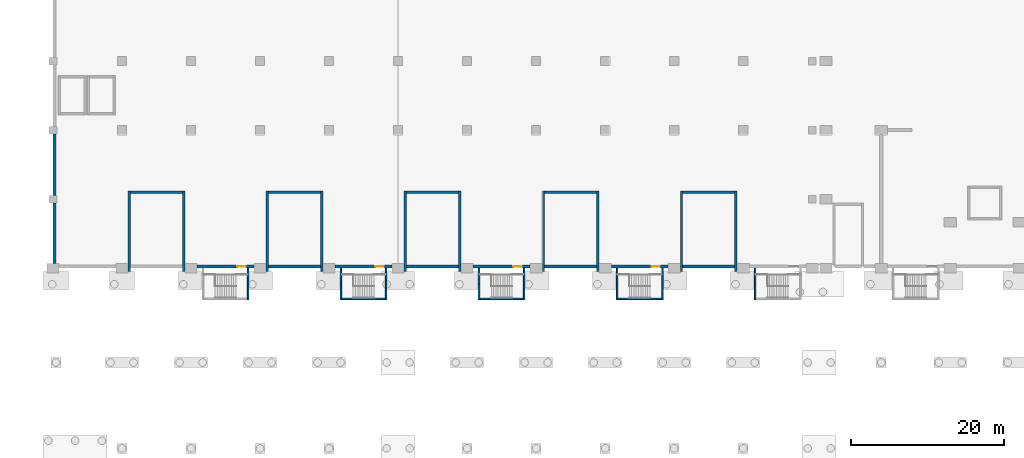
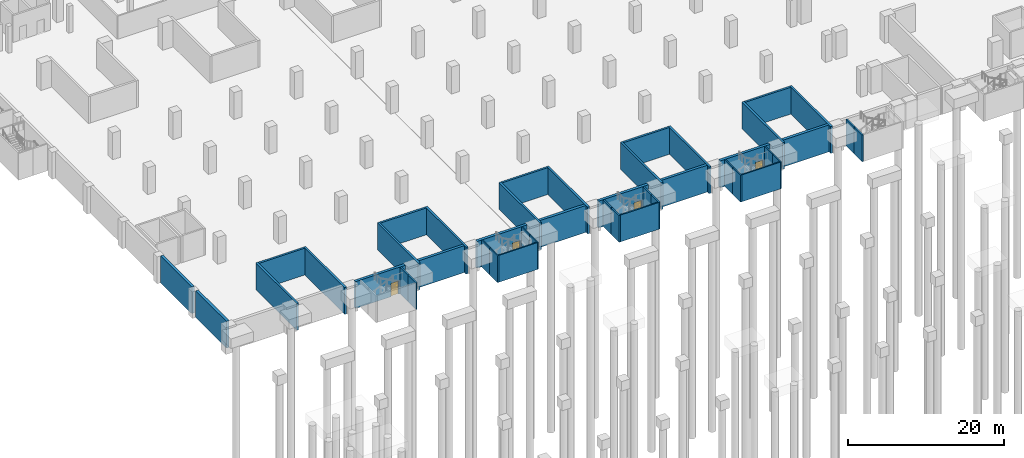
# One storey, part 11 of 27: 44 walls, 4 doors, 4 openings.
"""IFC4 building model written with IfcOpenShell, lengths in metres."""

from ifc_helpers import new_model, si_unit, direction, frame, frame_2d, origin, place, context, subcontext, project, spatial, rectangle, extrude, material, layer, layer_set, type_object, element, fill, save


model = new_model("IFC4")

# Units and contexts
model_context = context("Model", 3, precision=1e-05, world=origin(), true_north=direction((0.0, 1.0)))
body_context = subcontext(model_context, "Body", "Model", "MODEL_VIEW")
ifc_project = project(units=[si_unit("LENGTHUNIT", "METRE"), si_unit("AREAUNIT", "SQUARE_METRE"), si_unit("VOLUMEUNIT", "CUBIC_METRE"), si_unit("PLANEANGLEUNIT", "RADIAN"), si_unit("MASSUNIT", "GRAM", prefix="KILO")], contexts=[model_context])

# Site, building, storey
site_placement = place(None, origin())
site = spatial("IfcSite", under=ifc_project, at=site_placement, CompositionType="ELEMENT")
building_placement = place(site_placement, origin())
building = spatial("IfcBuilding", under=site, at=building_placement, Name="Aravalli Gate Trade Fair Centre", CompositionType="ELEMENT")
storey_placement = place(building_placement, frame((0.0, 0.0, -4.199951171875)))
storey = spatial("IfcBuildingStorey", under=building, at=storey_placement, Name="B1", CompositionType="ELEMENT", Elevation=-4.199951171875)

# Wall, opening, door
ifc_material_1 = material(Name="Concrete M40", Category="concrete")
ifc_layer_1 = layer(ifc_material_1, 0.39990234375)
ifc_layer_set_1 = layer_set([ifc_layer_1], Name="Concrete M40")
wall_type_1 = type_object("IfcWallType", Name="Basement retaining wall 400", PredefinedType="SOLIDWALL", material=ifc_layer_set_1)
wall_1_placement = place(storey_placement, frame((24.800048828125, 46.199951171875, 0.0), z_axis=(0.0, 0.0, 1.0), x_axis=(1.0, 0.0, 0.0)))
wall_1 = element("IfcWall", 1, at=wall_1_placement, inside=storey, type_object=wall_type_1, Name="Retaining wall S03 B1", PredefinedType="SOLIDWALL", context=body_context, shape_type="SweptSolid", body=[
    extrude(rectangle(XDim=7.39990234375, YDim=0.39990234375, at=frame_2d((3.699951171875, 0.0))), origin(), (0.0, 0.0, 1.0), 4.199951171875),
])
opening_1_placement = place(wall_1_placement, frame((5.25, 0.0, 0.0)))
opening_1 = element("IfcOpeningElement", 2, at=opening_1_placement, cuts=wall_1, Name="Opening B-B1-08", PredefinedType="OPENING", context=body_context, shape_type="SweptSolid", body=[
    extrude(rectangle(XDim=1.10009765625, YDim=2.10009765625, at=frame_2d((0.550048828125, 1.050048828125))), frame((0.0, 0.2099609375, 0.0), z_axis=(0.0, -1.0, 0.0), x_axis=(1.0, 0.0, 0.0)), (0.0, 0.0, 1.0), 0.419921875),
])
ifc_material_2 = material(Name="Steel", Category="steel")
door_type = type_object("IfcDoorType", Name="Basement stair door 1100x2100", OperationType="SINGLE_SWING_LEFT", PredefinedType="DOOR", material=ifc_material_2)
door_1_placement = place(opening_1_placement, frame((1.10009765625, 0.0, 0.0), z_axis=(0.0, 0.0, 1.0), x_axis=(-1.0, 0.0, 0.0)))
door_1 = element("IfcDoor", 3, at=door_1_placement, inside=storey, type_object=door_type, Name="Basement stair S1 door B1", OperationType="SINGLE_SWING_LEFT", OverallHeight=2.10009765625, OverallWidth=1.10009765625, PredefinedType="DOOR", context=body_context, shape_type="SweptSolid", body=[
    extrude(rectangle(XDim=1.10009765625, YDim=2.10009765625, at=frame_2d((0.550048828125, 1.050048828125))), frame((0.0, 0.02490234375, 0.0), z_axis=(0.0, -1.0, 0.0), x_axis=(1.0, 0.0, 0.0)), (0.0, 0.0, 1.0), 0.050048828125),
])
fill(opening_1, door_1)

# Wall
wall_2_placement = place(storey_placement, frame((34.10009765625, 46.199951171875, 0.0), z_axis=(0.0, 0.0, 1.0), x_axis=(1.0, 0.0, 0.0)))
element("IfcWall", 4, at=wall_2_placement, inside=storey, type_object=wall_type_1, Name="Retaining wall S04 B1", PredefinedType="SOLIDWALL", context=body_context, shape_type="SweptSolid", body=[
    extrude(rectangle(XDim=6.7998046875, YDim=0.39990234375, at=frame_2d((3.39990234375, 0.0))), origin(), (0.0, 0.0, 1.0), 4.199951171875),
])

# Wall, opening, door
wall_3_placement = place(storey_placement, frame((42.800048828125, 46.199951171875, 0.0), z_axis=(0.0, 0.0, 1.0), x_axis=(1.0, 0.0, 0.0)))
wall_3 = element("IfcWall", 5, at=wall_3_placement, inside=storey, type_object=wall_type_1, Name="Retaining wall S05 B1", PredefinedType="SOLIDWALL", context=body_context, shape_type="SweptSolid", body=[
    extrude(rectangle(XDim=7.39990234375, YDim=0.39990234375, at=frame_2d((3.699951171875, 0.0))), origin(), (0.0, 0.0, 1.0), 4.199951171875),
])
opening_2_placement = place(wall_3_placement, frame((5.25, 0.0, 0.0)))
opening_2 = element("IfcOpeningElement", 6, at=opening_2_placement, cuts=wall_3, Name="Opening B-B1-09", PredefinedType="OPENING", context=body_context, shape_type="SweptSolid", body=[
    extrude(rectangle(XDim=1.10009765625, YDim=2.10009765625, at=frame_2d((0.550048828125, 1.050048828125))), frame((0.0, 0.2099609375, 0.0), z_axis=(0.0, -1.0, 0.0), x_axis=(1.0, 0.0, 0.0)), (0.0, 0.0, 1.0), 0.419921875),
])
door_2_placement = place(opening_2_placement, frame((1.10009765625, 0.0, 0.0), z_axis=(0.0, 0.0, 1.0), x_axis=(-1.0, 0.0, 0.0)))
door_2 = element("IfcDoor", 7, at=door_2_placement, inside=storey, type_object=door_type, Name="Basement stair S2 door B1", OperationType="SINGLE_SWING_LEFT", OverallHeight=2.10009765625, OverallWidth=1.10009765625, PredefinedType="DOOR", context=body_context, shape_type="SweptSolid", body=[
    extrude(rectangle(XDim=1.10009765625, YDim=2.10009765625, at=frame_2d((0.550048828125, 1.050048828125))), frame((0.0, 0.02490234375, 0.0), z_axis=(0.0, -1.0, 0.0), x_axis=(1.0, 0.0, 0.0)), (0.0, 0.0, 1.0), 0.050048828125),
])
fill(opening_2, door_2)

# Wall
wall_4_placement = place(storey_placement, frame((52.10009765625, 46.199951171875, 0.0), z_axis=(0.0, 0.0, 1.0), x_axis=(1.0, 0.0, 0.0)))
element("IfcWall", 8, at=wall_4_placement, inside=storey, type_object=wall_type_1, Name="Retaining wall S06 B1", PredefinedType="SOLIDWALL", context=body_context, shape_type="SweptSolid", body=[
    extrude(rectangle(XDim=6.7998046875, YDim=0.39990234375, at=frame_2d((3.39990234375, 0.0))), origin(), (0.0, 0.0, 1.0), 4.199951171875),
])

# Wall, opening, door
wall_5_placement = place(storey_placement, frame((60.800048828125, 46.199951171875, 0.0), z_axis=(0.0, 0.0, 1.0), x_axis=(1.0, 0.0, 0.0)))
wall_5 = element("IfcWall", 9, at=wall_5_placement, inside=storey, type_object=wall_type_1, Name="Retaining wall S07 B1", PredefinedType="SOLIDWALL", context=body_context, shape_type="SweptSolid", body=[
    extrude(rectangle(XDim=7.39990234375, YDim=0.39990234375, at=frame_2d((3.699951171875, 0.0))), origin(), (0.0, 0.0, 1.0), 4.199951171875),
])
opening_3_placement = place(wall_5_placement, frame((5.25, 0.0, 0.0)))
opening_3 = element("IfcOpeningElement", 10, at=opening_3_placement, cuts=wall_5, Name="Opening B-B1-10", PredefinedType="OPENING", context=body_context, shape_type="SweptSolid", body=[
    extrude(rectangle(XDim=1.10009765625, YDim=2.10009765625, at=frame_2d((0.550048828125, 1.050048828125))), frame((0.0, 0.2099609375, 0.0), z_axis=(0.0, -1.0, 0.0), x_axis=(1.0, 0.0, 0.0)), (0.0, 0.0, 1.0), 0.419921875),
])
door_3_placement = place(opening_3_placement, frame((1.10009765625, 0.0, 0.0), z_axis=(0.0, 0.0, 1.0), x_axis=(-1.0, 0.0, 0.0)))
door_3 = element("IfcDoor", 11, at=door_3_placement, inside=storey, type_object=door_type, Name="Basement stair S3 door B1", OperationType="SINGLE_SWING_LEFT", OverallHeight=2.10009765625, OverallWidth=1.10009765625, PredefinedType="DOOR", context=body_context, shape_type="SweptSolid", body=[
    extrude(rectangle(XDim=1.10009765625, YDim=2.10009765625, at=frame_2d((0.550048828125, 1.050048828125))), frame((0.0, 0.02490234375, 0.0), z_axis=(0.0, -1.0, 0.0), x_axis=(1.0, 0.0, 0.0)), (0.0, 0.0, 1.0), 0.050048828125),
])
fill(opening_3, door_3)

# Wall
wall_6_placement = place(storey_placement, frame((70.10009765625, 46.199951171875, 0.0), z_axis=(0.0, 0.0, 1.0), x_axis=(1.0, 0.0, 0.0)))
element("IfcWall", 12, at=wall_6_placement, inside=storey, type_object=wall_type_1, Name="Retaining wall S08 B1", PredefinedType="SOLIDWALL", context=body_context, shape_type="SweptSolid", body=[
    extrude(rectangle(XDim=6.7998046875, YDim=0.39990234375, at=frame_2d((3.39990234375, 0.0))), origin(), (0.0, 0.0, 1.0), 4.199951171875),
])

# Wall, opening, door
wall_7_placement = place(storey_placement, frame((78.800048828125, 46.199951171875, 0.0), z_axis=(0.0, 0.0, 1.0), x_axis=(1.0, 0.0, 0.0)))
wall_7 = element("IfcWall", 13, at=wall_7_placement, inside=storey, type_object=wall_type_1, Name="Retaining wall S09 B1", PredefinedType="SOLIDWALL", context=body_context, shape_type="SweptSolid", body=[
    extrude(rectangle(XDim=7.39990234375, YDim=0.39990234375, at=frame_2d((3.699951171875, 0.0))), origin(), (0.0, 0.0, 1.0), 4.199951171875),
])
opening_4_placement = place(wall_7_placement, frame((5.25, 0.0, 0.0)))
opening_4 = element("IfcOpeningElement", 14, at=opening_4_placement, cuts=wall_7, Name="Opening B-B1-11", PredefinedType="OPENING", context=body_context, shape_type="SweptSolid", body=[
    extrude(rectangle(XDim=1.10009765625, YDim=2.10009765625, at=frame_2d((0.550048828125, 1.050048828125))), frame((0.0, 0.2099609375, 0.0), z_axis=(0.0, -1.0, 0.0), x_axis=(1.0, 0.0, 0.0)), (0.0, 0.0, 1.0), 0.419921875),
])
door_4_placement = place(opening_4_placement, frame((1.10009765625, 0.0, 0.0), z_axis=(0.0, 0.0, 1.0), x_axis=(-1.0, 0.0, 0.0)))
door_4 = element("IfcDoor", 15, at=door_4_placement, inside=storey, type_object=door_type, Name="Basement stair S4 door B1", OperationType="SINGLE_SWING_LEFT", OverallHeight=2.10009765625, OverallWidth=1.10009765625, PredefinedType="DOOR", context=body_context, shape_type="SweptSolid", body=[
    extrude(rectangle(XDim=1.10009765625, YDim=2.10009765625, at=frame_2d((0.550048828125, 1.050048828125))), frame((0.0, 0.02490234375, 0.0), z_axis=(0.0, -1.0, 0.0), x_axis=(1.0, 0.0, 0.0)), (0.0, 0.0, 1.0), 0.050048828125),
])
fill(opening_4, door_4)

# Walls
wall_8_placement = place(storey_placement, frame((88.10009765625, 46.199951171875, 0.0), z_axis=(0.0, 0.0, 1.0), x_axis=(1.0, 0.0, 0.0)))
element("IfcWall", 16, at=wall_8_placement, inside=storey, type_object=wall_type_1, Name="Retaining wall S10 B1", PredefinedType="SOLIDWALL", context=body_context, shape_type="SweptSolid", body=[
    extrude(rectangle(XDim=6.7998046875, YDim=0.39990234375, at=frame_2d((3.39990234375, 0.0))), origin(), (0.0, 0.0, 1.0), 4.199951171875),
])
wall_9_placement = place(storey_placement, frame((6.199951171875, 46.60009765625, 0.0), z_axis=(0.0, 0.0, 1.0), x_axis=(0.0, 1.0, 0.0)))
element("IfcWall", 17, at=wall_9_placement, inside=storey, type_object=wall_type_1, Name="Retaining wall W01 B1", PredefinedType="SOLIDWALL", context=body_context, shape_type="SweptSolid", body=[
    extrude(rectangle(XDim=7.89990234375, YDim=0.39990234375, at=frame_2d((3.949951171875, 0.0))), origin(), (0.0, 0.0, 1.0), 4.199951171875),
])
wall_10_placement = place(storey_placement, frame((6.199951171875, 55.5, 0.0), z_axis=(0.0, 0.0, 1.0), x_axis=(0.0, 1.0, 0.0)))
element("IfcWall", 18, at=wall_10_placement, inside=storey, type_object=wall_type_1, Name="Retaining wall W02 B1", PredefinedType="SOLIDWALL", context=body_context, shape_type="SweptSolid", body=[
    extrude(rectangle(XDim=8.0, YDim=0.39990234375, at=frame_2d((4.0, 0.0))), origin(), (0.0, 0.0, 1.0), 4.199951171875),
])
ifc_material_3 = material(Name="Concrete M35", Category="concrete")
ifc_layer_2 = layer(ifc_material_3, 0.199951171875)
ifc_layer_set_2 = layer_set([ifc_layer_2], Name="Concrete M35")
wall_type_2 = type_object("IfcWallType", Name="Basement stair enclosure wall 200", PredefinedType="SOLIDWALL", material=ifc_layer_set_2)
for number, where, z_axis, x_axis, name in (
    (19, (31.449951171875, 46.0, 0.0), (0.0, 0.0, 1.0), (0.0, -1.0, 0.0), "Basement stair S1 enclosure wall R1 B1"),
    (20, (31.449951171875, 43.949951171875, 0.0), (0.0, 0.0, 1.0), (0.0, -1.0, 0.0), "Basement stair S1 enclosure wall R2 B1"),
    (21, (43.550048828125, 46.0, 0.0), (0.0, 0.0, 1.0), (0.0, -1.0, 0.0), "Basement stair S2 enclosure wall L1 B1"),
    (22, (43.550048828125, 43.949951171875, 0.0), (0.0, 0.0, 1.0), (0.0, -1.0, 0.0), "Basement stair S2 enclosure wall L2 B1"),
    (23, (49.449951171875, 46.0, 0.0), (0.0, 0.0, 1.0), (0.0, -1.0, 0.0), "Basement stair S2 enclosure wall R1 B1"),
    (24, (49.449951171875, 43.949951171875, 0.0), (0.0, 0.0, 1.0), (0.0, -1.0, 0.0), "Basement stair S2 enclosure wall R2 B1"),
):
    element("IfcWall", number, at=place(storey_placement, frame(where, z_axis=z_axis, x_axis=x_axis)), inside=storey, type_object=wall_type_2, Name=name, PredefinedType="SOLIDWALL", context=body_context, shape_type="SweptSolid", body=[
        extrude(rectangle(XDim=2.050048828125, YDim=0.199951171875, at=frame_2d((1.02490234375, 0.0))), origin(), (0.0, 0.0, 1.0), 4.199951171875),
    ])
wall_11_placement = place(storey_placement, frame((43.64990234375, 42.0, 0.0), z_axis=(0.0, 0.0, 1.0), x_axis=(1.0, 0.0, 0.0)))
element("IfcWall", 25, at=wall_11_placement, inside=storey, type_object=wall_type_2, Name="Basement stair S2 enclosure wall O B1", PredefinedType="SOLIDWALL", context=body_context, shape_type="SweptSolid", body=[
    extrude(rectangle(XDim=5.7001953125, YDim=0.199951171875, at=frame_2d((2.85009765625, 0.0))), origin(), (0.0, 0.0, 1.0), 4.199951171875),
])
for number, where, z_axis, x_axis, name in (
    (26, (61.550048828125, 46.0, 0.0), (0.0, 0.0, 1.0), (0.0, -1.0, 0.0), "Basement stair S3 enclosure wall L1 B1"),
    (27, (61.550048828125, 43.949951171875, 0.0), (0.0, 0.0, 1.0), (0.0, -1.0, 0.0), "Basement stair S3 enclosure wall L2 B1"),
    (28, (67.449951171875, 46.0, 0.0), (0.0, 0.0, 1.0), (0.0, -1.0, 0.0), "Basement stair S3 enclosure wall R1 B1"),
    (29, (67.449951171875, 43.949951171875, 0.0), (0.0, 0.0, 1.0), (0.0, -1.0, 0.0), "Basement stair S3 enclosure wall R2 B1"),
):
    element("IfcWall", number, at=place(storey_placement, frame(where, z_axis=z_axis, x_axis=x_axis)), inside=storey, type_object=wall_type_2, Name=name, PredefinedType="SOLIDWALL", context=body_context, shape_type="SweptSolid", body=[
        extrude(rectangle(XDim=2.050048828125, YDim=0.199951171875, at=frame_2d((1.02490234375, 0.0))), origin(), (0.0, 0.0, 1.0), 4.199951171875),
    ])
wall_12_placement = place(storey_placement, frame((61.64990234375, 42.0, 0.0), z_axis=(0.0, 0.0, 1.0), x_axis=(1.0, 0.0, 0.0)))
element("IfcWall", 30, at=wall_12_placement, inside=storey, type_object=wall_type_2, Name="Basement stair S3 enclosure wall O B1", PredefinedType="SOLIDWALL", context=body_context, shape_type="SweptSolid", body=[
    extrude(rectangle(XDim=5.7001953125, YDim=0.199951171875, at=frame_2d((2.85009765625, 0.0))), origin(), (0.0, 0.0, 1.0), 4.199951171875),
])
for number, where, z_axis, x_axis, name in (
    (31, (79.550048828125, 46.0, 0.0), (0.0, 0.0, 1.0), (0.0, -1.0, 0.0), "Basement stair S4 enclosure wall L1 B1"),
    (32, (79.550048828125, 43.949951171875, 0.0), (0.0, 0.0, 1.0), (0.0, -1.0, 0.0), "Basement stair S4 enclosure wall L2 B1"),
    (33, (85.449951171875, 46.0, 0.0), (0.0, 0.0, 1.0), (0.0, -1.0, 0.0), "Basement stair S4 enclosure wall R1 B1"),
    (34, (85.449951171875, 43.949951171875, 0.0), (0.0, 0.0, 1.0), (0.0, -1.0, 0.0), "Basement stair S4 enclosure wall R2 B1"),
):
    element("IfcWall", number, at=place(storey_placement, frame(where, z_axis=z_axis, x_axis=x_axis)), inside=storey, type_object=wall_type_2, Name=name, PredefinedType="SOLIDWALL", context=body_context, shape_type="SweptSolid", body=[
        extrude(rectangle(XDim=2.050048828125, YDim=0.199951171875, at=frame_2d((1.02490234375, 0.0))), origin(), (0.0, 0.0, 1.0), 4.199951171875),
    ])
wall_13_placement = place(storey_placement, frame((79.64990234375, 42.0, 0.0), z_axis=(0.0, 0.0, 1.0), x_axis=(1.0, 0.0, 0.0)))
element("IfcWall", 35, at=wall_13_placement, inside=storey, type_object=wall_type_2, Name="Basement stair S4 enclosure wall O B1", PredefinedType="SOLIDWALL", context=body_context, shape_type="SweptSolid", body=[
    extrude(rectangle(XDim=5.7001953125, YDim=0.199951171875, at=frame_2d((2.85009765625, 0.0))), origin(), (0.0, 0.0, 1.0), 4.199951171875),
])
for number, where, z_axis, x_axis, name in (
    (36, (97.550048828125, 46.0, 0.0), (0.0, 0.0, 1.0), (0.0, -1.0, 0.0), "Basement stair S5 enclosure wall L1 B1"),
    (37, (97.550048828125, 43.949951171875, 0.0), (0.0, 0.0, 1.0), (0.0, -1.0, 0.0), "Basement stair S5 enclosure wall L2 B1"),
):
    element("IfcWall", number, at=place(storey_placement, frame(where, z_axis=z_axis, x_axis=x_axis)), inside=storey, type_object=wall_type_2, Name=name, PredefinedType="SOLIDWALL", context=body_context, shape_type="SweptSolid", body=[
        extrude(rectangle(XDim=2.050048828125, YDim=0.199951171875, at=frame_2d((1.02490234375, 0.0))), origin(), (0.0, 0.0, 1.0), 4.199951171875),
    ])
ifc_layer_3 = layer(ifc_material_1, 0.300048828125)
ifc_layer_set_3 = layer_set([ifc_layer_3], Name="Concrete M40")
wall_type_3 = type_object("IfcWallType", Name="Stair tower wall RC 300", PredefinedType="SHEAR", material=ifc_layer_set_3)
for number, where, z_axis, x_axis, name in (
    (38, (15.949951171875, 45.550048828125, 0.0), (0.0, 0.0, 1.0), (0.0, 1.0, 0.0), "Stair tower S02 wall W B1"),
    (39, (23.050048828125, 45.550048828125, 0.0), (0.0, 0.0, 1.0), (0.0, 1.0, 0.0), "Stair tower S02 wall E B1"),
):
    element("IfcWall", number, at=place(storey_placement, frame(where, z_axis=z_axis, x_axis=x_axis)), inside=storey, type_object=wall_type_3, Name=name, PredefinedType="SHEAR", context=body_context, shape_type="SweptSolid", body=[
        extrude(rectangle(XDim=10.5, YDim=0.300048828125, at=frame_2d((5.25, 0.0))), origin(), (0.0, 0.0, 1.0), 4.199951171875),
    ])
wall_14_placement = place(storey_placement, frame((16.10009765625, 55.89990234375, 0.0), z_axis=(0.0, 0.0, 1.0), x_axis=(1.0, 0.0, 0.0)))
element("IfcWall", 40, at=wall_14_placement, inside=storey, type_object=wall_type_3, Name="Stair tower S02 wall F B1", PredefinedType="SHEAR", context=body_context, shape_type="SweptSolid", body=[
    extrude(rectangle(XDim=6.7998046875, YDim=0.300048828125, at=frame_2d((3.39990234375, 0.0))), origin(), (0.0, 0.0, 1.0), 4.199951171875),
])
for number, where, z_axis, x_axis, name in (
    (41, (33.949951171875, 45.550048828125, 0.0), (0.0, 0.0, 1.0), (0.0, 1.0, 0.0), "Stair tower S04 wall W B1"),
    (42, (41.050048828125, 45.550048828125, 0.0), (0.0, 0.0, 1.0), (0.0, 1.0, 0.0), "Stair tower S04 wall E B1"),
):
    element("IfcWall", number, at=place(storey_placement, frame(where, z_axis=z_axis, x_axis=x_axis)), inside=storey, type_object=wall_type_3, Name=name, PredefinedType="SHEAR", context=body_context, shape_type="SweptSolid", body=[
        extrude(rectangle(XDim=10.5, YDim=0.300048828125, at=frame_2d((5.25, 0.0))), origin(), (0.0, 0.0, 1.0), 4.199951171875),
    ])
wall_15_placement = place(storey_placement, frame((34.10009765625, 55.89990234375, 0.0), z_axis=(0.0, 0.0, 1.0), x_axis=(1.0, 0.0, 0.0)))
element("IfcWall", 43, at=wall_15_placement, inside=storey, type_object=wall_type_3, Name="Stair tower S04 wall F B1", PredefinedType="SHEAR", context=body_context, shape_type="SweptSolid", body=[
    extrude(rectangle(XDim=6.7998046875, YDim=0.300048828125, at=frame_2d((3.39990234375, 0.0))), origin(), (0.0, 0.0, 1.0), 4.199951171875),
])
for number, where, z_axis, x_axis, name in (
    (44, (51.949951171875, 45.550048828125, 0.0), (0.0, 0.0, 1.0), (0.0, 1.0, 0.0), "Stair tower S06 wall W B1"),
    (45, (59.050048828125, 45.550048828125, 0.0), (0.0, 0.0, 1.0), (0.0, 1.0, 0.0), "Stair tower S06 wall E B1"),
):
    element("IfcWall", number, at=place(storey_placement, frame(where, z_axis=z_axis, x_axis=x_axis)), inside=storey, type_object=wall_type_3, Name=name, PredefinedType="SHEAR", context=body_context, shape_type="SweptSolid", body=[
        extrude(rectangle(XDim=10.5, YDim=0.300048828125, at=frame_2d((5.25, 0.0))), origin(), (0.0, 0.0, 1.0), 4.199951171875),
    ])
wall_16_placement = place(storey_placement, frame((52.10009765625, 55.89990234375, 0.0), z_axis=(0.0, 0.0, 1.0), x_axis=(1.0, 0.0, 0.0)))
element("IfcWall", 46, at=wall_16_placement, inside=storey, type_object=wall_type_3, Name="Stair tower S06 wall F B1", PredefinedType="SHEAR", context=body_context, shape_type="SweptSolid", body=[
    extrude(rectangle(XDim=6.7998046875, YDim=0.300048828125, at=frame_2d((3.39990234375, 0.0))), origin(), (0.0, 0.0, 1.0), 4.199951171875),
])
for number, where, z_axis, x_axis, name in (
    (47, (69.949951171875, 45.550048828125, 0.0), (0.0, 0.0, 1.0), (0.0, 1.0, 0.0), "Stair tower S08 wall W B1"),
    (48, (77.050048828125, 45.550048828125, 0.0), (0.0, 0.0, 1.0), (0.0, 1.0, 0.0), "Stair tower S08 wall E B1"),
):
    element("IfcWall", number, at=place(storey_placement, frame(where, z_axis=z_axis, x_axis=x_axis)), inside=storey, type_object=wall_type_3, Name=name, PredefinedType="SHEAR", context=body_context, shape_type="SweptSolid", body=[
        extrude(rectangle(XDim=10.5, YDim=0.300048828125, at=frame_2d((5.25, 0.0))), origin(), (0.0, 0.0, 1.0), 4.199951171875),
    ])
wall_17_placement = place(storey_placement, frame((70.10009765625, 55.89990234375, 0.0), z_axis=(0.0, 0.0, 1.0), x_axis=(1.0, 0.0, 0.0)))
element("IfcWall", 49, at=wall_17_placement, inside=storey, type_object=wall_type_3, Name="Stair tower S08 wall F B1", PredefinedType="SHEAR", context=body_context, shape_type="SweptSolid", body=[
    extrude(rectangle(XDim=6.7998046875, YDim=0.300048828125, at=frame_2d((3.39990234375, 0.0))), origin(), (0.0, 0.0, 1.0), 4.199951171875),
])
for number, where, z_axis, x_axis, name in (
    (50, (87.949951171875, 45.550048828125, 0.0), (0.0, 0.0, 1.0), (0.0, 1.0, 0.0), "Stair tower S10 wall W B1"),
    (51, (95.050048828125, 45.550048828125, 0.0), (0.0, 0.0, 1.0), (0.0, 1.0, 0.0), "Stair tower S10 wall E B1"),
):
    element("IfcWall", number, at=place(storey_placement, frame(where, z_axis=z_axis, x_axis=x_axis)), inside=storey, type_object=wall_type_3, Name=name, PredefinedType="SHEAR", context=body_context, shape_type="SweptSolid", body=[
        extrude(rectangle(XDim=10.5, YDim=0.300048828125, at=frame_2d((5.25, 0.0))), origin(), (0.0, 0.0, 1.0), 4.199951171875),
    ])
wall_18_placement = place(storey_placement, frame((88.10009765625, 55.89990234375, 0.0), z_axis=(0.0, 0.0, 1.0), x_axis=(1.0, 0.0, 0.0)))
element("IfcWall", 52, at=wall_18_placement, inside=storey, type_object=wall_type_3, Name="Stair tower S10 wall F B1", PredefinedType="SHEAR", context=body_context, shape_type="SweptSolid", body=[
    extrude(rectangle(XDim=6.7998046875, YDim=0.300048828125, at=frame_2d((3.39990234375, 0.0))), origin(), (0.0, 0.0, 1.0), 4.199951171875),
])

save(model, "model.ifc")
